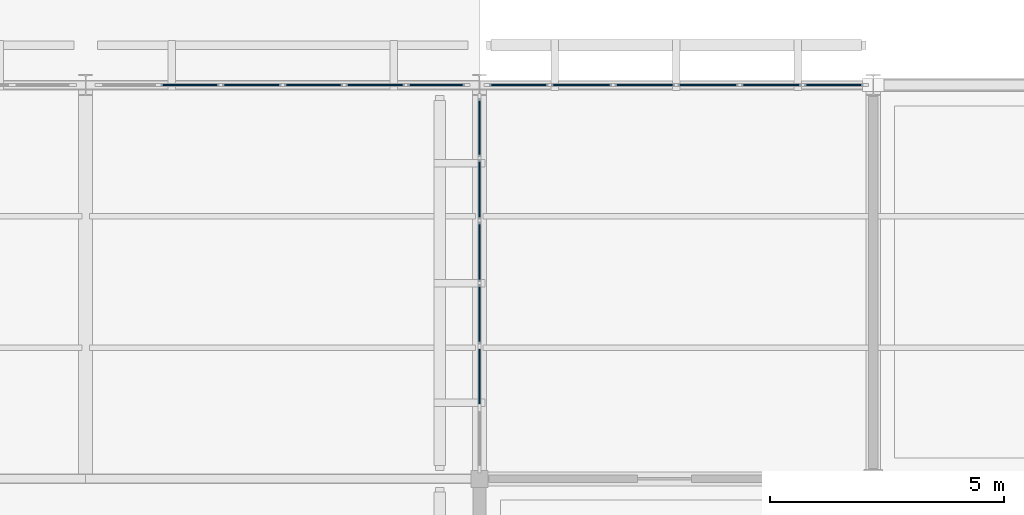
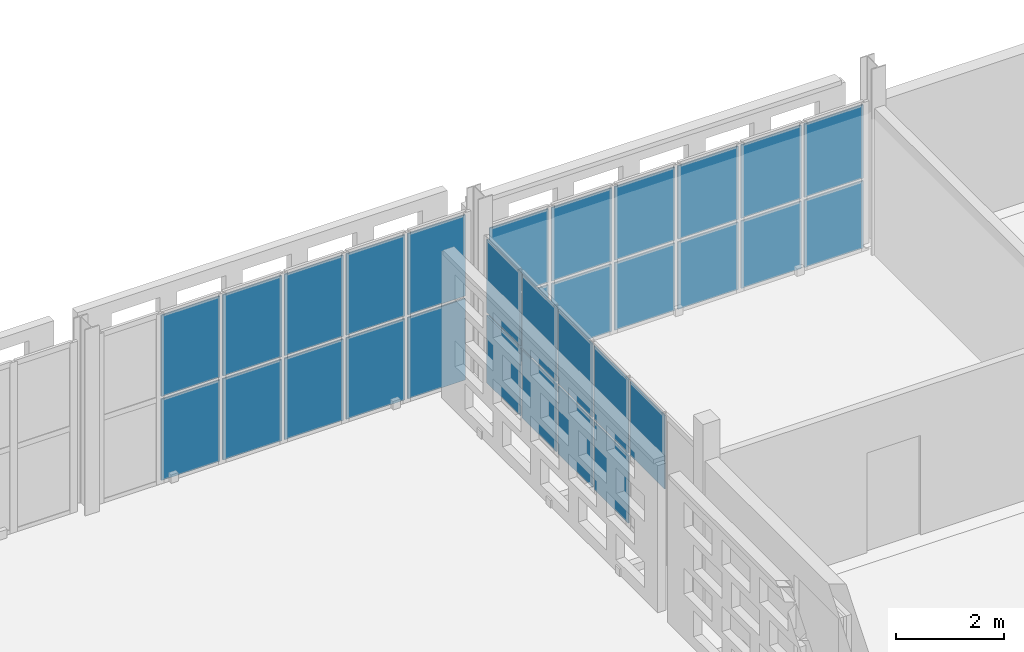
# One storey, part 88 of 166: 31 plates, 3 elements without a shape of their own.
"""IFC4 building model written with IfcOpenShell, lengths in metres."""

from ifc_helpers import new_model, si_unit, direction, frame, origin, origin_2d, place, context, subcontext, project, spatial, rectangle, extrude, material, layer, layer_set, type_object, element, aggregate, save


model = new_model("IFC4")

# Units and contexts
model_context = context("Model", 3, precision=1e-05, world=origin(), true_north=direction((0.0, 1.0)))
body_context = subcontext(model_context, "Body", "Model", "MODEL_VIEW")
ifc_project = project(units=[si_unit("LENGTHUNIT", "METRE"), si_unit("AREAUNIT", "SQUARE_METRE"), si_unit("VOLUMEUNIT", "CUBIC_METRE"), si_unit("PLANEANGLEUNIT", "RADIAN"), si_unit("MASSUNIT", "GRAM", prefix="KILO")], contexts=[model_context])

# Site, building, storey
site_placement = place(None, origin())
site = spatial("IfcSite", under=ifc_project, at=site_placement, CompositionType="ELEMENT")
building_placement = place(site_placement, origin())
building = spatial("IfcBuilding", under=site, at=building_placement, Name="Varnapada Polytechnic", CompositionType="ELEMENT")
storey_placement = place(building_placement, frame((0.0, 0.0, 9.60009765625)))
storey = spatial("IfcBuildingStorey", under=building, at=storey_placement, Name="L02", CompositionType="ELEMENT", Elevation=9.60009765625)

# Curtain wall, plates
ifc_material = material(Name="Double low-E laminated glass", Category="glass")
ifc_layer_1 = layer(ifc_material, 0.159912109375)
ifc_layer_set_1 = layer_set([ifc_layer_1], Name="Double low-E laminated glass")
curtain_wall_type = type_object("IfcCurtainWallType", Name="Curtain Wall CW-02", PredefinedType="NOTDEFINED", material=ifc_layer_set_1)
curtain_wall_1_placement = place(storey_placement, origin())
curtain_wall_1 = element("IfcCurtainWall", 1, at=curtain_wall_1_placement, inside=storey, type_object=curtain_wall_type, Name="L02 unitised curtain wall CW-02 (178)", PredefinedType="NOTDEFINED")
ifc_layer_2 = layer(ifc_material, 0.028076171875)
ifc_layer_set_2 = layer_set([ifc_layer_2], Name="Double low-E laminated glass")
plate_type = type_object("IfcPlateType", Name="Curtain Panel PNL-01", PredefinedType="CURTAIN_PANEL", material=ifc_layer_set_2)
plate_1_placement = place(storey_placement, frame((118.43994140625, 126.0, 0.06005859375), z_axis=(0.0, 0.0, 1.0), x_axis=(1.0, 0.0, 0.0)))
plate_1 = element("IfcPlate", 2, at=plate_1_placement, type_object=plate_type, Name="CW-02 panel 1.1", PredefinedType="CURTAIN_PANEL", context=body_context, shape_type="SweptSolid", body=[
    extrude(rectangle(XDim=1.260009765625, YDim=0.028076171875, at=origin_2d()), origin(), (0.0, 0.0, 1.0), 1.522705078125),
])
plate_2_placement = place(storey_placement, frame((118.43994140625, 126.0, 1.642578125), z_axis=(0.0, 0.0, 1.0), x_axis=(1.0, 0.0, 0.0)))
plate_2 = element("IfcPlate", 3, at=plate_2_placement, type_object=plate_type, Name="CW-02 panel 1.2", PredefinedType="CURTAIN_PANEL", context=body_context, shape_type="SweptSolid", body=[
    extrude(rectangle(XDim=1.260009765625, YDim=0.028076171875, at=origin_2d()), origin(), (0.0, 0.0, 1.0), 1.6572265625),
])
plate_3_placement = place(storey_placement, frame((119.77490234375, 126.0, 0.06005859375), z_axis=(0.0, 0.0, 1.0), x_axis=(1.0, 0.0, 0.0)))
plate_3 = element("IfcPlate", 4, at=plate_3_placement, type_object=plate_type, Name="CW-02 panel 2.1", PredefinedType="CURTAIN_PANEL", context=body_context, shape_type="SweptSolid", body=[
    extrude(rectangle(XDim=1.2900390625, YDim=0.028076171875, at=origin_2d()), origin(), (0.0, 0.0, 1.0), 1.522705078125),
])
plate_4_placement = place(storey_placement, frame((119.77490234375, 126.0, 1.642578125), z_axis=(0.0, 0.0, 1.0), x_axis=(1.0, 0.0, 0.0)))
plate_4 = element("IfcPlate", 5, at=plate_4_placement, type_object=plate_type, Name="CW-02 panel 2.2", PredefinedType="CURTAIN_PANEL", context=body_context, shape_type="SweptSolid", body=[
    extrude(rectangle(XDim=1.2900390625, YDim=0.028076171875, at=origin_2d()), origin(), (0.0, 0.0, 1.0), 1.6572265625),
])
plate_5_placement = place(storey_placement, frame((121.125, 126.0, 0.06005859375), z_axis=(0.0, 0.0, 1.0), x_axis=(1.0, 0.0, 0.0)))
plate_5 = element("IfcPlate", 6, at=plate_5_placement, type_object=plate_type, Name="CW-02 panel 3.1", PredefinedType="CURTAIN_PANEL", context=body_context, shape_type="SweptSolid", body=[
    extrude(rectangle(XDim=1.2900390625, YDim=0.028076171875, at=origin_2d()), origin(), (0.0, 0.0, 1.0), 1.522705078125),
])
plate_6_placement = place(storey_placement, frame((121.125, 126.0, 1.642578125), z_axis=(0.0, 0.0, 1.0), x_axis=(1.0, 0.0, 0.0)))
plate_6 = element("IfcPlate", 7, at=plate_6_placement, type_object=plate_type, Name="CW-02 panel 3.2", PredefinedType="CURTAIN_PANEL", context=body_context, shape_type="SweptSolid", body=[
    extrude(rectangle(XDim=1.2900390625, YDim=0.028076171875, at=origin_2d()), origin(), (0.0, 0.0, 1.0), 1.6572265625),
])
plate_7_placement = place(storey_placement, frame((122.47509765625, 126.0, 0.06005859375), z_axis=(0.0, 0.0, 1.0), x_axis=(1.0, 0.0, 0.0)))
plate_7 = element("IfcPlate", 8, at=plate_7_placement, type_object=plate_type, Name="CW-02 panel 4.1", PredefinedType="CURTAIN_PANEL", context=body_context, shape_type="SweptSolid", body=[
    extrude(rectangle(XDim=1.2900390625, YDim=0.028076171875, at=origin_2d()), origin(), (0.0, 0.0, 1.0), 1.522705078125),
])
plate_8_placement = place(storey_placement, frame((122.47509765625, 126.0, 1.642578125), z_axis=(0.0, 0.0, 1.0), x_axis=(1.0, 0.0, 0.0)))
plate_8 = element("IfcPlate", 9, at=plate_8_placement, type_object=plate_type, Name="CW-02 panel 4.2", PredefinedType="CURTAIN_PANEL", context=body_context, shape_type="SweptSolid", body=[
    extrude(rectangle(XDim=1.2900390625, YDim=0.028076171875, at=origin_2d()), origin(), (0.0, 0.0, 1.0), 1.6572265625),
])
plate_9_placement = place(storey_placement, frame((123.824951171875, 126.0, 0.06005859375), z_axis=(0.0, 0.0, 1.0), x_axis=(1.0, 0.0, 0.0)))
plate_9 = element("IfcPlate", 10, at=plate_9_placement, type_object=plate_type, Name="CW-02 panel 5.1", PredefinedType="CURTAIN_PANEL", context=body_context, shape_type="SweptSolid", body=[
    extrude(rectangle(XDim=1.2900390625, YDim=0.028076171875, at=origin_2d()), origin(), (0.0, 0.0, 1.0), 1.522705078125),
])
plate_10_placement = place(storey_placement, frame((123.824951171875, 126.0, 1.642578125), z_axis=(0.0, 0.0, 1.0), x_axis=(1.0, 0.0, 0.0)))
plate_10 = element("IfcPlate", 11, at=plate_10_placement, type_object=plate_type, Name="CW-02 panel 5.2", PredefinedType="CURTAIN_PANEL", context=body_context, shape_type="SweptSolid", body=[
    extrude(rectangle(XDim=1.2900390625, YDim=0.028076171875, at=origin_2d()), origin(), (0.0, 0.0, 1.0), 1.6572265625),
])
plate_11_placement = place(storey_placement, frame((125.159912109375, 126.0, 0.06005859375), z_axis=(0.0, 0.0, 1.0), x_axis=(1.0, 0.0, 0.0)))
plate_11 = element("IfcPlate", 12, at=plate_11_placement, type_object=plate_type, Name="CW-02 panel 6.1", PredefinedType="CURTAIN_PANEL", context=body_context, shape_type="SweptSolid", body=[
    extrude(rectangle(XDim=1.260009765625, YDim=0.028076171875, at=origin_2d()), origin(), (0.0, 0.0, 1.0), 1.522705078125),
])
plate_12_placement = place(storey_placement, frame((125.159912109375, 126.0, 1.642578125), z_axis=(0.0, 0.0, 1.0), x_axis=(1.0, 0.0, 0.0)))
plate_12 = element("IfcPlate", 13, at=plate_12_placement, type_object=plate_type, Name="CW-02 panel 6.2", PredefinedType="CURTAIN_PANEL", context=body_context, shape_type="SweptSolid", body=[
    extrude(rectangle(XDim=1.260009765625, YDim=0.028076171875, at=origin_2d()), origin(), (0.0, 0.0, 1.0), 1.6572265625),
])
aggregate(curtain_wall_1, [plate_1, plate_2, plate_3, plate_4, plate_5, plate_6, plate_7, plate_8, plate_9, plate_10, plate_11, plate_12])

curtain_wall_2_placement = place(storey_placement, origin())
curtain_wall_2 = element("IfcCurtainWall", 14, at=curtain_wall_2_placement, inside=storey, type_object=curtain_wall_type, Name="L02 unitised curtain wall CW-02 (179)", PredefinedType="NOTDEFINED")
plate_13_placement = place(storey_placement, frame((117.60009765625, 119.77880859375, 1.642578125), z_axis=(0.0, 0.0, 1.0), x_axis=(0.0, 1.0, 0.0)))
plate_13 = element("IfcPlate", 15, at=plate_13_placement, type_object=plate_type, Name="CW-02 panel 2.2", PredefinedType="CURTAIN_PANEL", context=body_context, shape_type="SweptSolid", body=[
    extrude(rectangle(XDim=1.2724609375, YDim=0.028076171875, at=origin_2d()), origin(), (0.0, 0.0, 1.0), 1.6572265625),
])
plate_14_placement = place(storey_placement, frame((117.60009765625, 121.111328125, 0.06005859375), z_axis=(0.0, 0.0, 1.0), x_axis=(0.0, 1.0, 0.0)))
plate_14 = element("IfcPlate", 16, at=plate_14_placement, type_object=plate_type, Name="CW-02 panel 3.1", PredefinedType="CURTAIN_PANEL", context=body_context, shape_type="SweptSolid", body=[
    extrude(rectangle(XDim=1.2724609375, YDim=0.028076171875, at=origin_2d()), origin(), (0.0, 0.0, 1.0), 1.522705078125),
])
plate_15_placement = place(storey_placement, frame((117.60009765625, 121.111328125, 1.642578125), z_axis=(0.0, 0.0, 1.0), x_axis=(0.0, 1.0, 0.0)))
plate_15 = element("IfcPlate", 17, at=plate_15_placement, type_object=plate_type, Name="CW-02 panel 3.2", PredefinedType="CURTAIN_PANEL", context=body_context, shape_type="SweptSolid", body=[
    extrude(rectangle(XDim=1.2724609375, YDim=0.028076171875, at=origin_2d()), origin(), (0.0, 0.0, 1.0), 1.6572265625),
])
plate_16_placement = place(storey_placement, frame((117.60009765625, 122.44384765625, 0.06005859375), z_axis=(0.0, 0.0, 1.0), x_axis=(0.0, 1.0, 0.0)))
plate_16 = element("IfcPlate", 18, at=plate_16_placement, type_object=plate_type, Name="CW-02 panel 4.1", PredefinedType="CURTAIN_PANEL", context=body_context, shape_type="SweptSolid", body=[
    extrude(rectangle(XDim=1.2724609375, YDim=0.028076171875, at=origin_2d()), origin(), (0.0, 0.0, 1.0), 1.522705078125),
])
plate_17_placement = place(storey_placement, frame((117.60009765625, 122.44384765625, 1.642578125), z_axis=(0.0, 0.0, 1.0), x_axis=(0.0, 1.0, 0.0)))
plate_17 = element("IfcPlate", 19, at=plate_17_placement, type_object=plate_type, Name="CW-02 panel 4.2", PredefinedType="CURTAIN_PANEL", context=body_context, shape_type="SweptSolid", body=[
    extrude(rectangle(XDim=1.2724609375, YDim=0.028076171875, at=origin_2d()), origin(), (0.0, 0.0, 1.0), 1.6572265625),
])
plate_18_placement = place(storey_placement, frame((117.60009765625, 123.7763671875, 0.06005859375), z_axis=(0.0, 0.0, 1.0), x_axis=(0.0, 1.0, 0.0)))
plate_18 = element("IfcPlate", 20, at=plate_18_placement, type_object=plate_type, Name="CW-02 panel 5.1", PredefinedType="CURTAIN_PANEL", context=body_context, shape_type="SweptSolid", body=[
    extrude(rectangle(XDim=1.2724609375, YDim=0.028076171875, at=origin_2d()), origin(), (0.0, 0.0, 1.0), 1.522705078125),
])
plate_19_placement = place(storey_placement, frame((117.60009765625, 123.7763671875, 1.642578125), z_axis=(0.0, 0.0, 1.0), x_axis=(0.0, 1.0, 0.0)))
plate_19 = element("IfcPlate", 21, at=plate_19_placement, type_object=plate_type, Name="CW-02 panel 5.2", PredefinedType="CURTAIN_PANEL", context=body_context, shape_type="SweptSolid", body=[
    extrude(rectangle(XDim=1.2724609375, YDim=0.028076171875, at=origin_2d()), origin(), (0.0, 0.0, 1.0), 1.6572265625),
])
plate_20_placement = place(storey_placement, frame((117.60009765625, 125.09375, 0.06005859375), z_axis=(0.0, 0.0, 1.0), x_axis=(0.0, 1.0, 0.0)))
plate_20 = element("IfcPlate", 22, at=plate_20_placement, type_object=plate_type, Name="CW-02 panel 6.1", PredefinedType="CURTAIN_PANEL", context=body_context, shape_type="SweptSolid", body=[
    extrude(rectangle(XDim=1.242431640625, YDim=0.028076171875, at=origin_2d()), origin(), (0.0, 0.0, 1.0), 1.522705078125),
])
plate_21_placement = place(storey_placement, frame((117.60009765625, 125.09375, 1.642578125), z_axis=(0.0, 0.0, 1.0), x_axis=(0.0, 1.0, 0.0)))
plate_21 = element("IfcPlate", 23, at=plate_21_placement, type_object=plate_type, Name="CW-02 panel 6.2", PredefinedType="CURTAIN_PANEL", context=body_context, shape_type="SweptSolid", body=[
    extrude(rectangle(XDim=1.242431640625, YDim=0.028076171875, at=origin_2d()), origin(), (0.0, 0.0, 1.0), 1.6572265625),
])
aggregate(curtain_wall_2, [plate_13, plate_14, plate_15, plate_16, plate_17, plate_18, plate_19, plate_20, plate_21])

curtain_wall_3_placement = place(storey_placement, origin())
curtain_wall_3 = element("IfcCurtainWall", 24, at=curtain_wall_3_placement, inside=storey, type_object=curtain_wall_type, Name="L02 high-bay workshop north curtain wall 14", PredefinedType="NOTDEFINED")
plate_22_placement = place(storey_placement, frame((111.425048828125, 126.0, 0.059814453125), z_axis=(0.0, 0.0, 1.0), x_axis=(1.0, 0.0, 0.0)))
plate_22 = element("IfcPlate", 25, at=plate_22_placement, type_object=plate_type, Name="CW-02 panel 2.1", PredefinedType="CURTAIN_PANEL", context=body_context, shape_type="SweptSolid", body=[
    extrude(rectangle(XDim=1.256591796875, YDim=0.028076171875, at=origin_2d()), origin(), (0.0, 0.0, 1.0), 1.8349609375),
])
plate_23_placement = place(storey_placement, frame((111.425048828125, 126.0, 1.954833984375), z_axis=(0.0, 0.0, 1.0), x_axis=(1.0, 0.0, 0.0)))
plate_23 = element("IfcPlate", 26, at=plate_23_placement, type_object=plate_type, Name="CW-02 panel 2.2", PredefinedType="CURTAIN_PANEL", context=body_context, shape_type="SweptSolid", body=[
    extrude(rectangle(XDim=1.256591796875, YDim=0.028076171875, at=origin_2d()), origin(), (0.0, 0.0, 1.0), 1.8349609375),
])
plate_24_placement = place(storey_placement, frame((112.74169921875, 126.0, 0.059814453125), z_axis=(0.0, 0.0, 1.0), x_axis=(1.0, 0.0, 0.0)))
plate_24 = element("IfcPlate", 27, at=plate_24_placement, type_object=plate_type, Name="CW-02 panel 3.1", PredefinedType="CURTAIN_PANEL", context=body_context, shape_type="SweptSolid", body=[
    extrude(rectangle(XDim=1.256591796875, YDim=0.028076171875, at=origin_2d()), origin(), (0.0, 0.0, 1.0), 1.8349609375),
])
plate_25_placement = place(storey_placement, frame((112.74169921875, 126.0, 1.954833984375), z_axis=(0.0, 0.0, 1.0), x_axis=(1.0, 0.0, 0.0)))
plate_25 = element("IfcPlate", 28, at=plate_25_placement, type_object=plate_type, Name="CW-02 panel 3.2", PredefinedType="CURTAIN_PANEL", context=body_context, shape_type="SweptSolid", body=[
    extrude(rectangle(XDim=1.256591796875, YDim=0.028076171875, at=origin_2d()), origin(), (0.0, 0.0, 1.0), 1.8349609375),
])
plate_26_placement = place(storey_placement, frame((114.058349609375, 126.0, 0.059814453125), z_axis=(0.0, 0.0, 1.0), x_axis=(1.0, 0.0, 0.0)))
plate_26 = element("IfcPlate", 29, at=plate_26_placement, type_object=plate_type, Name="CW-02 panel 4.1", PredefinedType="CURTAIN_PANEL", context=body_context, shape_type="SweptSolid", body=[
    extrude(rectangle(XDim=1.256591796875, YDim=0.028076171875, at=origin_2d()), origin(), (0.0, 0.0, 1.0), 1.8349609375),
])
plate_27_placement = place(storey_placement, frame((114.058349609375, 126.0, 1.954833984375), z_axis=(0.0, 0.0, 1.0), x_axis=(1.0, 0.0, 0.0)))
plate_27 = element("IfcPlate", 30, at=plate_27_placement, type_object=plate_type, Name="CW-02 panel 4.2", PredefinedType="CURTAIN_PANEL", context=body_context, shape_type="SweptSolid", body=[
    extrude(rectangle(XDim=1.256591796875, YDim=0.028076171875, at=origin_2d()), origin(), (0.0, 0.0, 1.0), 1.8349609375),
])
plate_28_placement = place(storey_placement, frame((115.375, 126.0, 0.059814453125), z_axis=(0.0, 0.0, 1.0), x_axis=(1.0, 0.0, 0.0)))
plate_28 = element("IfcPlate", 31, at=plate_28_placement, type_object=plate_type, Name="CW-02 panel 5.1", PredefinedType="CURTAIN_PANEL", context=body_context, shape_type="SweptSolid", body=[
    extrude(rectangle(XDim=1.256591796875, YDim=0.028076171875, at=origin_2d()), origin(), (0.0, 0.0, 1.0), 1.8349609375),
])
plate_29_placement = place(storey_placement, frame((115.375, 126.0, 1.954833984375), z_axis=(0.0, 0.0, 1.0), x_axis=(1.0, 0.0, 0.0)))
plate_29 = element("IfcPlate", 32, at=plate_29_placement, type_object=plate_type, Name="CW-02 panel 5.2", PredefinedType="CURTAIN_PANEL", context=body_context, shape_type="SweptSolid", body=[
    extrude(rectangle(XDim=1.256591796875, YDim=0.028076171875, at=origin_2d()), origin(), (0.0, 0.0, 1.0), 1.8349609375),
])
plate_30_placement = place(storey_placement, frame((116.6767578125, 126.0, 0.059814453125), z_axis=(0.0, 0.0, 1.0), x_axis=(1.0, 0.0, 0.0)))
plate_30 = element("IfcPlate", 33, at=plate_30_placement, type_object=plate_type, Name="CW-02 panel 6.1", PredefinedType="CURTAIN_PANEL", context=body_context, shape_type="SweptSolid", body=[
    extrude(rectangle(XDim=1.2265625, YDim=0.028076171875, at=origin_2d()), origin(), (0.0, 0.0, 1.0), 1.8349609375),
])
plate_31_placement = place(storey_placement, frame((116.6767578125, 126.0, 1.954833984375), z_axis=(0.0, 0.0, 1.0), x_axis=(1.0, 0.0, 0.0)))
plate_31 = element("IfcPlate", 34, at=plate_31_placement, type_object=plate_type, Name="CW-02 panel 6.2", PredefinedType="CURTAIN_PANEL", context=body_context, shape_type="SweptSolid", body=[
    extrude(rectangle(XDim=1.2265625, YDim=0.028076171875, at=origin_2d()), origin(), (0.0, 0.0, 1.0), 1.8349609375),
])
aggregate(curtain_wall_3, [plate_22, plate_23, plate_24, plate_25, plate_26, plate_27, plate_28, plate_29, plate_30, plate_31])

save(model, "model.ifc")
